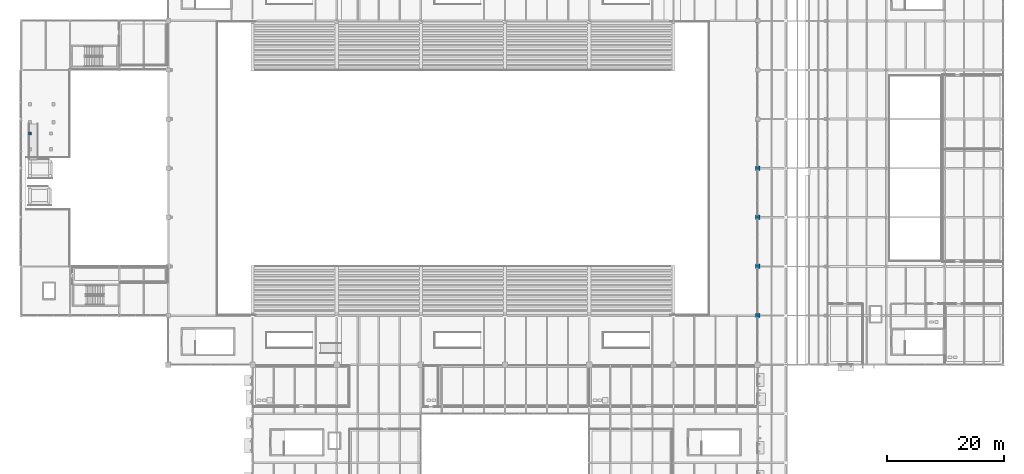
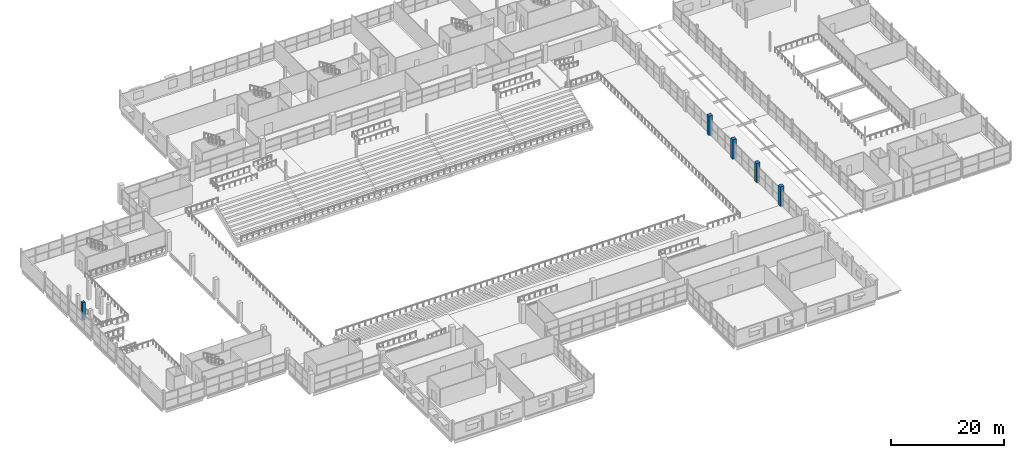
# One storey, part 5 of 161: 5 columns.
"""IFC4 building model written with IfcOpenShell, lengths in metres."""

from ifc_helpers import new_model, si_unit, direction, frame, origin, origin_2d, place, context, subcontext, project, spatial, rectangle, extrude, material, material_profile, profile_set, type_object, element, save


model = new_model("IFC4")

# Units and contexts
model_context = context("Model", 3, precision=1e-05, world=origin(), true_north=direction((0.0, 1.0)))
body_context = subcontext(model_context, "Body", "Model", "MODEL_VIEW")
ifc_project = project(units=[si_unit("LENGTHUNIT", "METRE"), si_unit("AREAUNIT", "SQUARE_METRE"), si_unit("VOLUMEUNIT", "CUBIC_METRE"), si_unit("PLANEANGLEUNIT", "RADIAN"), si_unit("MASSUNIT", "GRAM", prefix="KILO"), si_unit("THERMODYNAMICTEMPERATUREUNIT", "KELVIN")], contexts=[model_context])

# Site, building, storey
site_placement = place(None, origin())
site = spatial("IfcSite", under=ifc_project, at=site_placement, CompositionType="ELEMENT")
building_placement = place(site_placement, origin())
building = spatial("IfcBuilding", under=site, at=building_placement, Name="Nduvali Passage Aquatics Centre", CompositionType="ELEMENT")
storey_placement = place(building_placement, frame((0.0, 0.0, 4.800048828125)))
storey = spatial("IfcBuildingStorey", under=building, at=storey_placement, Name="L01", CompositionType="ELEMENT", Elevation=4.800048828125)

# Columns
ifc_material = material(Name="Concrete C40/50", Category="concrete")
ifc_material_profile_1 = material_profile(ifc_material, rectangle(XDim=0.550048828125, YDim=0.550048828125, at=origin_2d()), Name="RC 550x550")
ifc_profile_set_1 = profile_set([ifc_material_profile_1], Name="Concrete C40/50")
column_type_1 = type_object("IfcColumnType", Name="STR-COL-RC550", PredefinedType="COLUMN", material=ifc_profile_set_1)
column_placement = place(storey_placement, frame((1.550048828125, 64.75, 0.0), z_axis=(0.0, 0.0, 1.0), x_axis=(1.0, 0.0, 0.0)))
element("IfcColumn", 1, at=column_placement, inside=storey, type_object=column_type_1, Name="L01 Column C4 (1.6, 64.8)", PredefinedType="COLUMN", context=body_context, shape_type="SweptSolid", body=[
    extrude(rectangle(XDim=0.550048828125, YDim=0.550048828125, at=origin_2d()), origin(), (0.0, 0.0, 1.0), 3.820068359375),
])
ifc_material_profile_2 = material_profile(ifc_material, rectangle(XDim=0.75, YDim=0.75, at=origin_2d()), Name="RC 750x750")
ifc_profile_set_2 = profile_set([ifc_material_profile_2], Name="Concrete C40/50")
column_type_2 = type_object("IfcColumnType", Name="STR-COL-RC750-EXT", PredefinedType="COLUMN", material=ifc_profile_set_2)
for number, where, z_axis, x_axis, name in (
    (2, (126.0, 33.60009765625, 0.0), (0.0, 0.0, 1.0), (1.0, 0.0, 0.0), "L01 Column C2E (126.0, 33.6)"),
    (3, (126.0, 42.0, 0.0), (0.0, 0.0, 1.0), (1.0, 0.0, 0.0), "L01 Column C2E (126.0, 42.0)"),
    (4, (126.0, 50.39990234375, 0.0), (0.0, 0.0, 1.0), (1.0, 0.0, 0.0), "L01 Column C2E (126.0, 50.4)"),
    (5, (126.0, 58.800048828125, 0.0), (0.0, 0.0, 1.0), (1.0, 0.0, 0.0), "L01 Column C2E (126.0, 58.8)"),
):
    element("IfcColumn", number, at=place(storey_placement, frame(where, z_axis=z_axis, x_axis=x_axis)), inside=storey, type_object=column_type_2, Name=name, PredefinedType="COLUMN", context=body_context, shape_type="SweptSolid", body=[
        extrude(rectangle(XDim=0.75, YDim=0.75, at=origin_2d()), origin(), (0.0, 0.0, 1.0), 4.199951171875),
    ])

save(model, "model.ifc")
